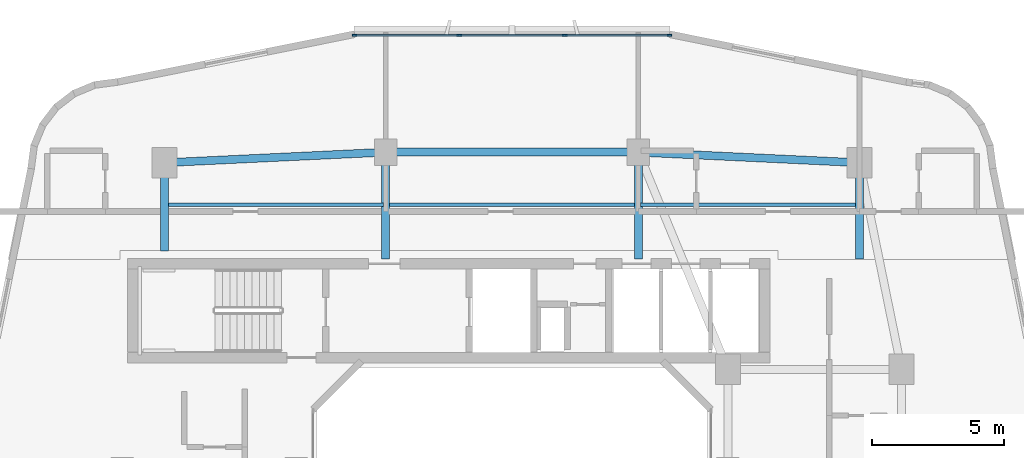
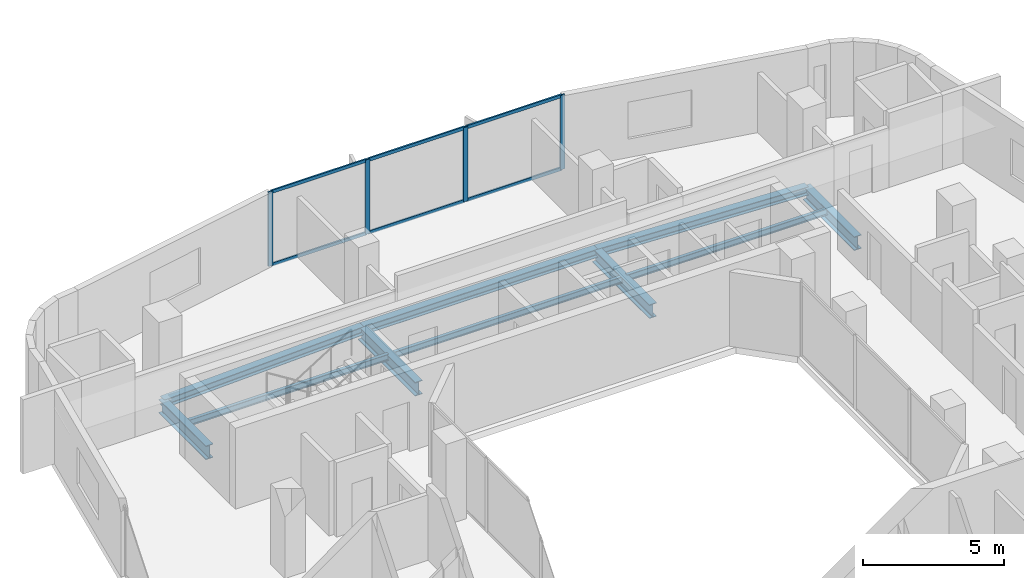
# One storey, part 7 of 26: 10 beams, 10 members, 1 element without a shape of its own.
"""IFC4 building model written with IfcOpenShell, lengths in metres."""

from ifc_helpers import new_model, si_unit, derived_unit, direction, frame, origin, origin_2d, place, context, subcontext, project, spatial, rectangle, i_section, extrude, material, layer, layer_set, material_profile, profile_set, type_object, element, aggregate, save


model = new_model("IFC4")

# Units and contexts
model_context = context("Model", 3, precision=1e-05, world=origin(), true_north=direction((0.0, 1.0)))
body_context = subcontext(model_context, "Body", "Model", "MODEL_VIEW")
ifc_project = project(units=[si_unit("LENGTHUNIT", "METRE"), si_unit("AREAUNIT", "SQUARE_METRE"), si_unit("VOLUMEUNIT", "CUBIC_METRE"), si_unit("PLANEANGLEUNIT", "RADIAN"), si_unit("MASSUNIT", "GRAM", prefix="KILO"), derived_unit("THERMALTRANSMITTANCEUNIT", [(si_unit("POWERUNIT", "WATT"), 1), (si_unit("LENGTHUNIT", "METRE"), -2), (si_unit("THERMODYNAMICTEMPERATUREUNIT", "KELVIN"), -1)])], contexts=[model_context])

# Site, building, storey
site_placement = place(None, origin())
site = spatial("IfcSite", under=ifc_project, at=site_placement, CompositionType="ELEMENT")
building_placement = place(site_placement, origin())
building = spatial("IfcBuilding", under=site, at=building_placement, Name="Kivonza Crest Hotel", CompositionType="ELEMENT")
storey_placement = place(building_placement, frame((0.0, 0.0, 98.5)))
storey = spatial("IfcBuildingStorey", under=building, at=storey_placement, Name="L26", CompositionType="ELEMENT", Elevation=98.5)

# Beams
ifc_material_1 = material(Name="Steel S355", Category="steel")
ifc_material_profile_1 = material_profile(ifc_material_1, i_section(OverallWidth=0.300048828125, OverallDepth=0.360107421875, WebThickness=0.012451171875, FlangeThickness=0.0224609375, FilletRadius=0.027099609375, at=origin_2d()), Name="HEB 360")
ifc_profile_set_1 = profile_set([ifc_material_profile_1], Name="Steel S355")
beam_type_1 = type_object("IfcBeamType", Name="BM-HEB360", PredefinedType="SPANDREL", material=ifc_profile_set_1)
beam_1_placement = place(storey_placement, frame((34.199951171875, 40.199951171875, -0.4599609375), z_axis=(-0.998867283688, 0.047583080799, 0.0), x_axis=(-0.047583080799, -0.998867283688, 0.0)))
element("IfcBeam", 1, at=beam_1_placement, inside=storey, type_object=beam_type_1, Name="Tower T1 L26 perimeter spandrel NE-N2", PredefinedType="SPANDREL", context=body_context, shape_type="SweptSolid", body=[
    extrude(i_section(OverallWidth=0.300048828125, OverallDepth=0.360107421875, WebThickness=0.012451171875, FlangeThickness=0.0224609375, FilletRadius=0.027099609375, at=origin_2d()), origin(), (0.0, 0.0, 1.0), 8.409423828125),
])
beam_2_placement = place(storey_placement, frame((25.800048828125, 40.60009765625, -0.4599609375), z_axis=(-1.0, 0.0, 0.0), x_axis=(0.0, -1.0, 0.0)))
element("IfcBeam", 2, at=beam_2_placement, inside=storey, type_object=beam_type_1, Name="Tower T1 L26 perimeter spandrel N2-N1", PredefinedType="SPANDREL", context=body_context, shape_type="SweptSolid", body=[
    extrude(i_section(OverallWidth=0.300048828125, OverallDepth=0.360107421875, WebThickness=0.012451171875, FlangeThickness=0.0224609375, FilletRadius=0.027099609375, at=origin_2d()), origin(), (0.0, 0.0, 1.0), 9.60009765625),
])
beam_3_placement = place(storey_placement, frame((16.199951171875, 40.60009765625, -0.4599609375), z_axis=(-0.998867283688, -0.047583080799, 0.0), x_axis=(0.047583080799, -0.998867283688, 0.0)))
element("IfcBeam", 3, at=beam_3_placement, inside=storey, type_object=beam_type_1, Name="Tower T1 L26 perimeter spandrel N1-NW", PredefinedType="SPANDREL", context=body_context, shape_type="SweptSolid", body=[
    extrude(i_section(OverallWidth=0.300048828125, OverallDepth=0.360107421875, WebThickness=0.012451171875, FlangeThickness=0.0224609375, FilletRadius=0.027099609375, at=origin_2d()), origin(), (0.0, 0.0, 1.0), 8.409423828125),
])
ifc_material_profile_2 = material_profile(ifc_material_1, i_section(OverallWidth=0.300048828125, OverallDepth=0.60009765625, WebThickness=0.015380859375, FlangeThickness=0.030029296875, FilletRadius=0.027099609375, at=origin_2d()), Name="HEB 600")
ifc_profile_set_2 = profile_set([ifc_material_profile_2], Name="Steel S355")
beam_type_2 = type_object("IfcBeamType", Name="BM-HEB600", PredefinedType="BEAM", material=ifc_profile_set_2)
beam_4_placement = place(storey_placement, frame((7.800048828125, 40.199951171875, -0.580078125), z_axis=(0.0, -1.0, 0.0), x_axis=(1.0, 0.0, 0.0)))
element("IfcBeam", 4, at=beam_4_placement, inside=storey, type_object=beam_type_2, Name="Tower T1 L26 radial core girder RNW", PredefinedType="BEAM", context=body_context, shape_type="SweptSolid", body=[
    extrude(i_section(OverallWidth=0.300048828125, OverallDepth=0.60009765625, WebThickness=0.015380859375, FlangeThickness=0.030029296875, FilletRadius=0.027099609375, at=origin_2d()), origin(), (0.0, 0.0, 1.0), 3.349853515625),
])
for number, where, z_axis, x_axis, name in (
    (5, (16.199951171875, 40.60009765625, -0.580078125), (0.0, -1.0, 0.0), (1.0, 0.0, 0.0), "Tower T1 L26 radial core girder RN1"),
    (6, (25.800048828125, 40.60009765625, -0.580078125), (0.0, -1.0, 0.0), (1.0, 0.0, 0.0), "Tower T1 L26 radial core girder RN2"),
):
    element("IfcBeam", number, at=place(storey_placement, frame(where, z_axis=z_axis, x_axis=x_axis)), inside=storey, type_object=beam_type_2, Name=name, PredefinedType="BEAM", context=body_context, shape_type="SweptSolid", body=[
        extrude(i_section(OverallWidth=0.300048828125, OverallDepth=0.60009765625, WebThickness=0.015380859375, FlangeThickness=0.030029296875, FilletRadius=0.027099609375, at=origin_2d()), origin(), (0.0, 0.0, 1.0), 4.050048828125),
    ])
beam_5_placement = place(storey_placement, frame((34.199951171875, 40.199951171875, -0.580078125), z_axis=(0.0, -1.0, 0.0), x_axis=(1.0, 0.0, 0.0)))
element("IfcBeam", 7, at=beam_5_placement, inside=storey, type_object=beam_type_2, Name="Tower T1 L26 radial core girder RNE", PredefinedType="BEAM", context=body_context, shape_type="SweptSolid", body=[
    extrude(i_section(OverallWidth=0.300048828125, OverallDepth=0.60009765625, WebThickness=0.015380859375, FlangeThickness=0.030029296875, FilletRadius=0.027099609375, at=origin_2d()), origin(), (0.0, 0.0, 1.0), 3.64990234375),
])
ifc_material_profile_3 = material_profile(ifc_material_1, i_section(OverallWidth=0.135009765625, OverallDepth=0.27001953125, WebThickness=0.006591796875, FlangeThickness=0.01025390625, FilletRadius=0.014892578125, at=origin_2d()), Name="IPE 270")
ifc_profile_set_3 = profile_set([ifc_material_profile_3], Name="Steel S355")
beam_type_3 = type_object("IfcBeamType", Name="BM-IPE270", PredefinedType="JOIST", material=ifc_profile_set_3)
beam_6_placement = place(storey_placement, frame((7.8798828125, 38.60009765625, -0.4150390625), z_axis=(1.0, 0.0, 0.0), x_axis=(0.0, 1.0, 0.0)))
element("IfcBeam", 8, at=beam_6_placement, inside=storey, type_object=beam_type_3, Name="Tower T1 L26 North-West floor joist", PredefinedType="JOIST", context=body_context, shape_type="SweptSolid", body=[
    extrude(i_section(OverallWidth=0.135009765625, OverallDepth=0.27001953125, WebThickness=0.006591796875, FlangeThickness=0.01025390625, FilletRadius=0.014892578125, at=origin_2d()), origin(), (0.0, 0.0, 1.0), 8.240234375),
])
beam_7_placement = place(storey_placement, frame((16.280029296875, 38.60009765625, -0.4150390625), z_axis=(1.0, 0.0, 0.0), x_axis=(0.0, 1.0, 0.0)))
element("IfcBeam", 9, at=beam_7_placement, inside=storey, type_object=beam_type_3, Name="Tower T1 L26 North-Mid floor joist", PredefinedType="JOIST", context=body_context, shape_type="SweptSolid", body=[
    extrude(i_section(OverallWidth=0.135009765625, OverallDepth=0.27001953125, WebThickness=0.006591796875, FlangeThickness=0.01025390625, FilletRadius=0.014892578125, at=origin_2d()), origin(), (0.0, 0.0, 1.0), 9.43994140625),
])
beam_8_placement = place(storey_placement, frame((25.8798828125, 38.60009765625, -0.4150390625), z_axis=(1.0, 0.0, 0.0), x_axis=(0.0, 1.0, 0.0)))
element("IfcBeam", 10, at=beam_8_placement, inside=storey, type_object=beam_type_3, Name="Tower T1 L26 North-East floor joist", PredefinedType="JOIST", context=body_context, shape_type="SweptSolid", body=[
    extrude(i_section(OverallWidth=0.135009765625, OverallDepth=0.27001953125, WebThickness=0.006591796875, FlangeThickness=0.01025390625, FilletRadius=0.014892578125, at=origin_2d()), origin(), (0.0, 0.0, 1.0), 8.240234375),
])

# Curtain wall, members
ifc_material_2 = material(Name="Anodised bronze aluminium and low-E double glazing", Category="aluminium")
ifc_layer = layer(ifc_material_2, 0.179931640625)
ifc_layer_set = layer_set([ifc_layer], Name="Anodised bronze aluminium and low-E double glazing")
curtain_wall_type = type_object("IfcCurtainWallType", Name="CW-SYS-2", PredefinedType="NOTDEFINED", material=ifc_layer_set)
curtain_wall_placement = place(storey_placement, origin())
curtain_wall = element("IfcCurtainWall", 11, at=curtain_wall_placement, inside=storey, type_object=curtain_wall_type, Name="L26 unitised curtain wall CW-T1-L26-26", PredefinedType="NOTDEFINED")
ifc_material_3 = material(Name="Anodised bronze aluminium", Category="aluminium")
ifc_material_profile_4 = material_profile(ifc_material_3, rectangle(XDim=0.06494140625, YDim=0.179931640625, at=origin_2d()), Name="CW-M 65x180")
ifc_profile_set_4 = profile_set([ifc_material_profile_4], Name="Anodised bronze aluminium")
member_type_1 = type_object("IfcMemberType", Name="CW-MUL-65x180", PredefinedType="MULLION", material=ifc_profile_set_4)
member_1_placement = place(storey_placement, frame((26.987548828125, 45.0400390625, 0.0), z_axis=(0.0, 0.0, 1.0), x_axis=(0.0, -1.0, 0.0)))
member_1 = element("IfcMember", 12, at=member_1_placement, type_object=member_type_1, Name="CW-2 mullion 1", PredefinedType="MULLION", context=body_context, shape_type="SweptSolid", body=[
    extrude(rectangle(XDim=0.06494140625, YDim=0.179931640625, at=origin_2d()), origin(), (0.0, 0.0, 1.0), 3.219970703125),
])
member_2_placement = place(storey_placement, frame((23.006591796875, 45.0400390625, 0.0), z_axis=(0.0, 0.0, 1.0), x_axis=(0.0, -1.0, 0.0)))
member_2 = element("IfcMember", 13, at=member_2_placement, type_object=member_type_1, Name="CW-2 mullion 2", PredefinedType="MULLION", context=body_context, shape_type="SweptSolid", body=[
    extrude(rectangle(XDim=0.06494140625, YDim=0.179931640625, at=origin_2d()), origin(), (0.0, 0.0, 1.0), 3.219970703125),
])
member_3_placement = place(storey_placement, frame((18.993408203125, 45.0400390625, 0.0), z_axis=(0.0, 0.0, 1.0), x_axis=(0.0, -1.0, 0.0)))
member_3 = element("IfcMember", 14, at=member_3_placement, type_object=member_type_1, Name="CW-2 mullion 3", PredefinedType="MULLION", context=body_context, shape_type="SweptSolid", body=[
    extrude(rectangle(XDim=0.06494140625, YDim=0.179931640625, at=origin_2d()), origin(), (0.0, 0.0, 1.0), 3.219970703125),
])
member_4_placement = place(storey_placement, frame((15.012451171875, 45.0400390625, 0.0), z_axis=(0.0, 0.0, 1.0), x_axis=(0.0, -1.0, 0.0)))
member_4 = element("IfcMember", 15, at=member_4_placement, type_object=member_type_1, Name="CW-2 mullion 4", PredefinedType="MULLION", context=body_context, shape_type="SweptSolid", body=[
    extrude(rectangle(XDim=0.06494140625, YDim=0.179931640625, at=origin_2d()), origin(), (0.0, 0.0, 1.0), 3.219970703125),
])
ifc_material_profile_5 = material_profile(ifc_material_3, rectangle(XDim=0.06494140625, YDim=0.139892578125, at=origin_2d()), Name="CW-T 65x140")
ifc_profile_set_5 = profile_set([ifc_material_profile_5], Name="Anodised bronze aluminium")
member_type_2 = type_object("IfcMemberType", Name="CW-TRN-65x140", PredefinedType="USERDEFINED", material=ifc_profile_set_5)
member_5_placement = place(storey_placement, frame((26.955078125, 45.0400390625, 0.032470703125), z_axis=(-1.0, 0.0, 0.0), x_axis=(0.0, -1.0, 0.0)))
member_5 = element("IfcMember", 16, at=member_5_placement, type_object=member_type_2, Name="CW-2 transom 1.1", ObjectType="TRANSOM", PredefinedType="USERDEFINED", context=body_context, shape_type="SweptSolid", body=[
    extrude(rectangle(XDim=0.06494140625, YDim=0.139892578125, at=origin_2d()), origin(), (0.0, 0.0, 1.0), 3.916015625),
])
member_6_placement = place(storey_placement, frame((26.955078125, 45.0400390625, 3.1875), z_axis=(-1.0, 0.0, 0.0), x_axis=(0.0, -1.0, 0.0)))
member_6 = element("IfcMember", 17, at=member_6_placement, type_object=member_type_2, Name="CW-2 transom 1.2", ObjectType="TRANSOM", PredefinedType="USERDEFINED", context=body_context, shape_type="SweptSolid", body=[
    extrude(rectangle(XDim=0.06494140625, YDim=0.139892578125, at=origin_2d()), origin(), (0.0, 0.0, 1.0), 3.916015625),
])
member_7_placement = place(storey_placement, frame((22.97412109375, 45.0400390625, 0.032470703125), z_axis=(-1.0, 0.0, 0.0), x_axis=(0.0, -1.0, 0.0)))
member_7 = element("IfcMember", 18, at=member_7_placement, type_object=member_type_2, Name="CW-2 transom 2.1", ObjectType="TRANSOM", PredefinedType="USERDEFINED", context=body_context, shape_type="SweptSolid", body=[
    extrude(rectangle(XDim=0.06494140625, YDim=0.139892578125, at=origin_2d()), origin(), (0.0, 0.0, 1.0), 3.9482421875),
])
member_8_placement = place(storey_placement, frame((22.97412109375, 45.0400390625, 3.1875), z_axis=(-1.0, 0.0, 0.0), x_axis=(0.0, -1.0, 0.0)))
member_8 = element("IfcMember", 19, at=member_8_placement, type_object=member_type_2, Name="CW-2 transom 2.2", ObjectType="TRANSOM", PredefinedType="USERDEFINED", context=body_context, shape_type="SweptSolid", body=[
    extrude(rectangle(XDim=0.06494140625, YDim=0.139892578125, at=origin_2d()), origin(), (0.0, 0.0, 1.0), 3.9482421875),
])
member_9_placement = place(storey_placement, frame((18.9609375, 45.0400390625, 0.032470703125), z_axis=(-1.0, 0.0, 0.0), x_axis=(0.0, -1.0, 0.0)))
member_9 = element("IfcMember", 20, at=member_9_placement, type_object=member_type_2, Name="CW-2 transom 3.1", ObjectType="TRANSOM", PredefinedType="USERDEFINED", context=body_context, shape_type="SweptSolid", body=[
    extrude(rectangle(XDim=0.06494140625, YDim=0.139892578125, at=origin_2d()), origin(), (0.0, 0.0, 1.0), 3.916015625),
])
member_10_placement = place(storey_placement, frame((18.9609375, 45.0400390625, 3.1875), z_axis=(-1.0, 0.0, 0.0), x_axis=(0.0, -1.0, 0.0)))
member_10 = element("IfcMember", 21, at=member_10_placement, type_object=member_type_2, Name="CW-2 transom 3.2", ObjectType="TRANSOM", PredefinedType="USERDEFINED", context=body_context, shape_type="SweptSolid", body=[
    extrude(rectangle(XDim=0.06494140625, YDim=0.139892578125, at=origin_2d()), origin(), (0.0, 0.0, 1.0), 3.916015625),
])
aggregate(curtain_wall, [member_1, member_2, member_3, member_4, member_5, member_6, member_7, member_8, member_9, member_10])

save(model, "model.ifc")
